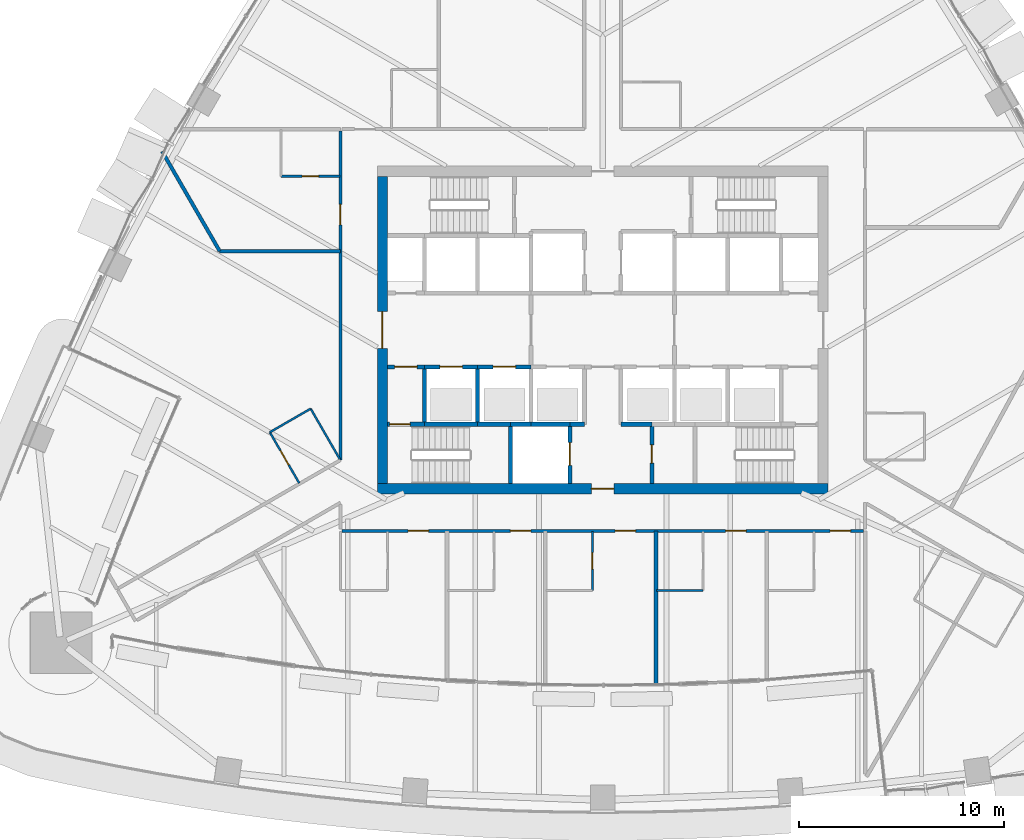
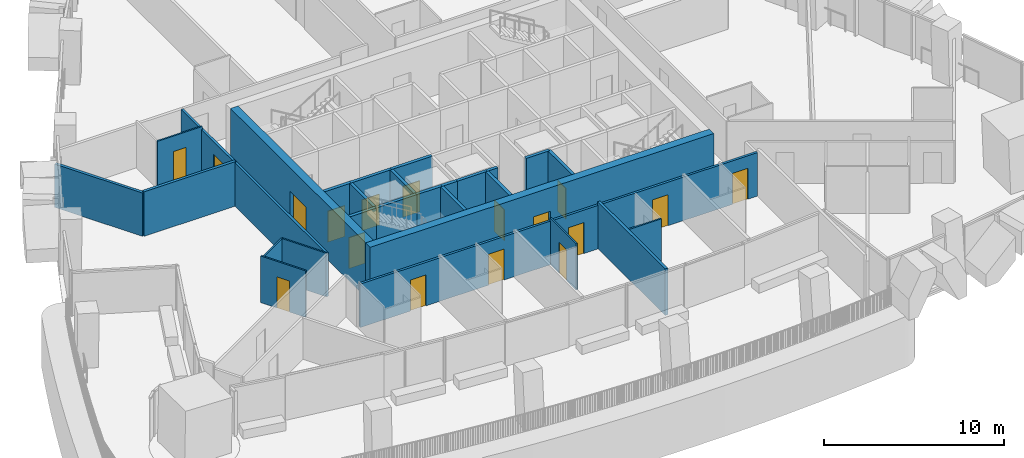
# One storey, part 12 of 22: 28 walls, 17 doors, 17 openings.
"""IFC4 building model written with IfcOpenShell, lengths in metres."""

import ifcopenshell
import ifcopenshell.guid

model = None  # the IFC model being written
_history = None  # IfcOwnerHistory: only IFC2X3 demands one
_inside = {}  # id of a spatial element -> (the spatial element, [elements in it])
_under = {}  # id of a project, library or spatial element -> (it, [spatial elements below it])
_declared = {}  # id of a project -> (the project, [libraries it declares])
_typed = {}  # id of a type object -> (the type object, [elements of that type])
_made_of = {}  # id of a material, layer set ... -> (it, [elements and type objects made of it])


def new_model(schema):
    """Start an empty IFC model of exactly this schema.

    Asked for "IFC4X3", IfcOpenShell would pick the latest addendum, in which some entities
    have other attributes; the version numbers below select the first issue.
    IFC2X3 requires an IfcOwnerHistory on every rooted entity: one is made here for all.
    """
    global model, _history
    if schema == "IFC4X3":
        model = ifcopenshell.file(schema_version=(4, 3, 0, 0))
    else:
        model = ifcopenshell.file(schema=schema)
    _inside.clear()
    _under.clear()
    _declared.clear()
    _typed.clear()
    _made_of.clear()
    _history = None
    if model.schema == "IFC2X3":
        org = make("IfcOrganization", Name="unknown")
        user = make(
            "IfcPersonAndOrganization",
            ThePerson=make("IfcPerson", FamilyName="unknown"),
            TheOrganization=org,
        )
        app = make(
            "IfcApplication",
            ApplicationDeveloper=org,
            Version="unknown",
            ApplicationFullName="unknown",
            ApplicationIdentifier="unknown",
        )
        _history = make(
            "IfcOwnerHistory",
            OwningUser=user,
            OwningApplication=app,
            ChangeAction="ADDED",
            CreationDate=0,
        )
    return model


def make(cls, **values):
    """One entity of the class cls with the attributes given. An attribute that is None is left unset."""
    return model.create_entity(
        cls, **{name: value for name, value in values.items() if value is not None}
    )


def rooted(cls, **values):
    """An entity with a GlobalId (a new one), such as an element, a storey or a relation."""
    return make(cls, GlobalId=ifcopenshell.guid.new(), OwnerHistory=_history, **values)


def si_unit(unit_type, name, prefix=None):
    """IfcSIUnit, for example si_unit("LENGTHUNIT", "METRE", prefix="MILLI")."""
    return make("IfcSIUnit", UnitType=unit_type, Prefix=prefix, Name=name)


def assignment(units):
    """IfcUnitAssignment: the units of a project."""
    return None if units is None else make("IfcUnitAssignment", Units=units)


def point(xyz):
    """IfcCartesianPoint."""
    return None if xyz is None else make("IfcCartesianPoint", Coordinates=xyz)


def direction(xyz):
    """IfcDirection."""
    return None if xyz is None else make("IfcDirection", DirectionRatios=xyz)


def frame(location, z_axis=None, x_axis=None):
    """IfcAxis2Placement3D, a coordinate frame: its origin and axes. An axis left out is left unset."""
    return make(
        "IfcAxis2Placement3D",
        Location=point(location),
        Axis=direction(z_axis),
        RefDirection=direction(x_axis),
    )


def frame_2d(location, x_axis=None):
    """IfcAxis2Placement2D, a coordinate frame in the plane: its origin and x axis."""
    return make(
        "IfcAxis2Placement2D", Location=point(location), RefDirection=direction(x_axis)
    )


def origin():
    """The frame at (0, 0, 0) with its axes left unset."""
    return frame((0.0, 0.0, 0.0))


def place(relative_to, where):
    """IfcLocalPlacement: puts the frame where relative to a parent placement (None: the world)."""
    return make(
        "IfcLocalPlacement", PlacementRelTo=relative_to, RelativePlacement=where
    )


def context(
    kind, dimensions, precision=None, world=None, true_north=None, identifier=None
):
    """IfcGeometricRepresentationContext, for example the 3D "Model" context."""
    return make(
        "IfcGeometricRepresentationContext",
        ContextIdentifier=identifier,
        ContextType=kind,
        CoordinateSpaceDimension=dimensions,
        Precision=precision,
        WorldCoordinateSystem=world,
        TrueNorth=true_north,
    )


def subcontext(parent, identifier, kind, view, scale=None):
    """IfcGeometricRepresentationSubContext, for example "Body" below "Model"."""
    return make(
        "IfcGeometricRepresentationSubContext",
        ContextIdentifier=identifier,
        ContextType=kind,
        ParentContext=parent,
        TargetScale=scale,
        TargetView=view,
    )


def project(units=None, contexts=None):
    """IfcProject with its units and contexts."""
    return rooted(
        "IfcProject",
        Name="project",
        RepresentationContexts=contexts,
        UnitsInContext=assignment(units),
    )


def spatial(cls, under=None, at=None, **own):
    """A site, building, storey or space (cls), placed at a placement, below another one or the project."""
    s = rooted(cls, ObjectPlacement=at, **own)
    if under is not None:
        _under.setdefault(under.id(), (under, []))[1].append(s)
    return s


def profile(cls, at=None, kind="AREA", **sizes):
    """A parametric profile (cls). Its sizes go by their IFC names, for example OverallWidth=200.0."""
    return make(cls, ProfileType=kind, Position=at, **sizes)


def rectangle(**sizes):
    """IfcRectangleProfileDef."""
    return profile("IfcRectangleProfileDef", **sizes)


def extrude(swept, where, along, depth):
    """IfcExtrudedAreaSolid: the profile swept, set in the frame where, extruded along a direction by depth."""
    return make(
        "IfcExtrudedAreaSolid",
        SweptArea=swept,
        Position=where,
        ExtrudedDirection=direction(along),
        Depth=depth,
    )


def shape(context_of_items, identifier, shape_type, items):
    """IfcShapeRepresentation: the items that make up one representation, for example the "Body"."""
    return make(
        "IfcShapeRepresentation",
        ContextOfItems=context_of_items,
        RepresentationIdentifier=identifier,
        RepresentationType=shape_type,
        Items=items,
    )


def material(Name=None, Category=None):
    """IfcMaterial."""
    return make("IfcMaterial", Name=Name, Category=Category)


def layer(
    of_material, thickness, ventilated=None, Name=None, Category=None, Priority=None
):
    """IfcMaterialLayer: one layer of a wall or slab, of a material (None: an air gap)."""
    return make(
        "IfcMaterialLayer",
        Material=of_material,
        LayerThickness=thickness,
        IsVentilated=ventilated,
        Name=Name,
        Category=Category,
        Priority=Priority,
    )


def layer_set(layers, Name=None):
    """IfcMaterialLayerSet."""
    return make("IfcMaterialLayerSet", MaterialLayers=layers, LayerSetName=Name)


def made_of(thing, what):
    """Note that an element or type object is made of a material, layer set ...; save() writes the relation."""
    if what is not None:
        _made_of.setdefault(what.id(), (what, []))[1].append(thing)
    return thing


def type_object(cls, material=None, **own):
    """A type object (cls), such as IfcWallType, which elements share."""
    return made_of(rooted(cls, **own), material)


def element(
    cls,
    number,
    at=None,
    inside=None,
    cuts=None,
    type_object=None,
    material=None,
    context=None,
    identifier="Body",
    shape_type=None,
    held_by="IfcProductDefinitionShape",
    body=None,
    shapes=None,
    **own,
):
    """One element of the class cls, such as IfcWall. Its Tag is "e" and its number.

    at: its placement. inside: the storey or other place that contains it. cuts: it is an
    opening in that element (IfcRelVoidsElement). A single representation is given by context,
    identifier, shape_type and body (its items); several are given by shapes. held_by: the class
    of the entity that holds the representations. save() writes the other relations.
    """
    e = rooted(cls, Tag="e%d" % number, ObjectPlacement=at, **own)
    if body is not None:
        shapes = [shape(context, identifier, shape_type, body)]
    if shapes is not None:
        e.Representation = make(held_by, Representations=shapes)
    if inside is not None:
        _inside.setdefault(inside.id(), (inside, []))[1].append(e)
    if cuts is not None:
        rooted(
            "IfcRelVoidsElement", RelatingBuildingElement=cuts, RelatedOpeningElement=e
        )
    if type_object is not None:
        _typed.setdefault(type_object.id(), (type_object, []))[1].append(e)
    return made_of(e, material)


def fill(opening, filler):
    """IfcRelFillsElement: the door or window that sits in an opening."""
    return rooted(
        "IfcRelFillsElement",
        RelatingOpeningElement=opening,
        RelatedBuildingElement=filler,
    )


def aggregate(whole, parts):
    """IfcRelAggregates: a whole, such as a stair, and the parts it consists of."""
    return rooted("IfcRelAggregates", RelatingObject=whole, RelatedObjects=parts)


def save(model, path):
    """Write the relations noted so far, then the file.

    IfcRelAggregates (storeys below a building ...), IfcRelContainedInSpatialStructure (elements
    in a storey), IfcRelDefinesByType, IfcRelAssociatesMaterial and IfcRelDeclares: one each for
    every whole, place, type object, material and project.
    """
    for whole, parts in _under.values():
        aggregate(whole, parts)
    for where, things in _inside.values():
        rooted(
            "IfcRelContainedInSpatialStructure",
            RelatedElements=things,
            RelatingStructure=where,
        )
    for kind, things in _typed.values():
        rooted("IfcRelDefinesByType", RelatedObjects=things, RelatingType=kind)
    for what, things in _made_of.values():
        rooted("IfcRelAssociatesMaterial", RelatedObjects=things, RelatingMaterial=what)
    for by, libraries in _declared.values():
        rooted("IfcRelDeclares", RelatingContext=by, RelatedDefinitions=libraries)
    model.write(path)


model = new_model("IFC4")

# Units and contexts
model_context = context("Model", 3, precision=1e-05, world=origin(), true_north=direction((0.0, 1.0)))
body_context = subcontext(model_context, "Body", "Model", "MODEL_VIEW")
ifc_project = project(units=[si_unit("LENGTHUNIT", "METRE"), si_unit("AREAUNIT", "SQUARE_METRE"), si_unit("VOLUMEUNIT", "CUBIC_METRE"), si_unit("PLANEANGLEUNIT", "RADIAN"), si_unit("MASSUNIT", "GRAM", prefix="KILO")], contexts=[model_context])

# Site, building, storey
site_placement = place(None, origin())
site = spatial("IfcSite", under=ifc_project, at=site_placement, CompositionType="ELEMENT")
building_placement = place(site_placement, origin())
building = spatial("IfcBuilding", under=site, at=building_placement, Name="Sierra Prisma Convention Tower", CompositionType="ELEMENT")
storey_placement = place(building_placement, frame((0.0, 0.0, 73.89990234375)))
storey = spatial("IfcBuildingStorey", under=building, at=storey_placement, Name="L14", CompositionType="ELEMENT", Elevation=73.89990234375)

# Wall, opening, door
ifc_material_1 = material(Name="Gypsum board partition", Category="gypsum")
ifc_layer_1 = layer(ifc_material_1, 0.10009765625)
ifc_layer_set_1 = layer_set([ifc_layer_1], Name="Bathroom partition 100")
wall_type_1 = type_object("IfcWallType", Name="Bathroom partition 100", PredefinedType="PARTITIONING", material=ifc_layer_set_1)
wall_1_placement = place(storey_placement, frame((-12.830078125, 7.5, 0.0), z_axis=(0.0, 0.0, 1.0), x_axis=(-1.0, 0.0, 0.0)))
wall_1 = element("IfcWall", 1, at=wall_1_placement, inside=storey, type_object=wall_type_1, Name="Partition L14 bath 1", PredefinedType="PARTITIONING", context=body_context, shape_type="SweptSolid", body=[
    extrude(rectangle(XDim=2.869873046875, YDim=0.10009765625, at=frame_2d((1.43505859375, 0.0))), origin(), (0.0, 0.0, 1.0), 3.150146484375),
])
opening_1_placement = place(wall_1_placement, frame((1.034912109375, 0.0, 0.0)))
opening_1 = element("IfcOpeningElement", 2, at=opening_1_placement, cuts=wall_1, Name="Opening L14-D007", PredefinedType="OPENING", context=body_context, shape_type="SweptSolid", body=[
    extrude(rectangle(XDim=0.800048828125, YDim=2.10009765625, at=frame_2d((0.39990234375, 1.050048828125))), frame((0.0, 0.050048828125, 0.0), z_axis=(0.0, -1.0, 0.0), x_axis=(1.0, 0.0, 0.0)), (0.0, 0.0, 1.0), 0.10009765625),
])
ifc_material_2 = material(Name="Solid core timber door leaf", Category="wood")
door_type_1 = type_object("IfcDoorType", Name="Door 800x2100 plain", OperationType="SINGLE_SWING_LEFT", PredefinedType="DOOR", material=ifc_material_2)
door_1_placement = place(opening_1_placement, origin())
door_1 = element("IfcDoor", 3, at=door_1_placement, inside=storey, type_object=door_type_1, Name="Door L14 10", OperationType="SINGLE_SWING_RIGHT", OverallHeight=2.10009765625, OverallWidth=0.800048828125, PredefinedType="DOOR", context=body_context, shape_type="SweptSolid", body=[
    extrude(rectangle(XDim=0.800048828125, YDim=2.10009765625, at=frame_2d((0.39990234375, 1.050048828125))), frame((0.0, 0.02490234375, 0.0), z_axis=(0.0, -1.0, 0.0), x_axis=(1.0, 0.0, 0.0)), (0.0, 0.0, 1.0), 0.050048828125),
])
fill(opening_1, door_1)

wall_2_placement = place(storey_placement, frame((-14.806884765625, -7.474853515625, 0.0), z_axis=(0.0, 0.0, 1.0), x_axis=(-0.500036638401, 0.866004249561, 0.0)))
wall_2 = element("IfcWall", 4, at=wall_2_placement, inside=storey, type_object=wall_type_1, Name="Partition L14 bath 3", PredefinedType="PARTITIONING", context=body_context, shape_type="SweptSolid", body=[
    extrude(rectangle(XDim=2.869873046875, YDim=0.10009765625, at=frame_2d((1.43505859375, 0.0))), origin(), (0.0, 0.0, 1.0), 3.150146484375),
])
opening_2_placement = place(wall_2_placement, frame((1.034912109375, 0.0, 0.0)))
opening_2 = element("IfcOpeningElement", 5, at=opening_2_placement, cuts=wall_2, Name="Opening L14-D008", PredefinedType="OPENING", context=body_context, shape_type="SweptSolid", body=[
    extrude(rectangle(XDim=0.800048828125, YDim=2.10009765625, at=frame_2d((0.39990234375, 1.050048828125))), frame((0.0, 0.050048828125, 0.0), z_axis=(0.0, -1.0, 0.0), x_axis=(1.0, 0.0, 0.0)), (0.0, 0.0, 1.0), 0.10009765625),
])
door_2_placement = place(opening_2_placement, origin())
door_2 = element("IfcDoor", 6, at=door_2_placement, inside=storey, type_object=door_type_1, Name="Door L14 12", OperationType="SINGLE_SWING_RIGHT", OverallHeight=2.10009765625, OverallWidth=0.800048828125, PredefinedType="DOOR", context=body_context, shape_type="SweptSolid", body=[
    extrude(rectangle(XDim=0.800048828125, YDim=2.10009765625, at=frame_2d((0.39990234375, 1.050048828125))), frame((0.0, 0.02490234375, 0.0), z_axis=(0.0, -1.0, 0.0), x_axis=(1.0, 0.0, 0.0)), (0.0, 0.0, 1.0), 0.050048828125),
])
fill(opening_2, door_2)

# Walls
wall_3_placement = place(storey_placement, frame((-16.241943359375, -4.989501953125, 0.0), z_axis=(0.0, 0.0, 1.0), x_axis=(0.866007057882, 0.500031774688, 0.0)))
element("IfcWall", 7, at=wall_3_placement, inside=storey, type_object=wall_type_1, Name="Partition L14 bath 4", PredefinedType="PARTITIONING", context=body_context, shape_type="SweptSolid", body=[
    extrude(rectangle(XDim=2.300048828125, YDim=0.10009765625, at=frame_2d((1.14990234375, 0.0))), origin(), (0.0, 0.0, 1.0), 2.947021484375),
])
wall_4_placement = place(storey_placement, frame((-14.25, -3.83935546875, 0.0), z_axis=(0.0, 0.0, 1.0), x_axis=(0.499985389037, -0.866033839264, 0.0)))
element("IfcWall", 8, at=wall_4_placement, inside=storey, type_object=wall_type_1, Name="Partition L14 bath 5", PredefinedType="PARTITIONING", context=body_context, shape_type="SweptSolid", body=[
    extrude(rectangle(XDim=2.83984375, YDim=0.10009765625, at=frame_2d((1.419921875, 0.0))), origin(), (0.0, 0.0, 1.0), 2.947021484375),
])

# Wall, opening, door
wall_5_placement = place(storey_placement, frame((-0.5, -9.830078125, 0.0), z_axis=(0.0, 0.0, 1.0), x_axis=(0.0, -1.0, 0.0)))
wall_5 = element("IfcWall", 9, at=wall_5_placement, inside=storey, type_object=wall_type_1, Name="Partition L14 bath 13", PredefinedType="PARTITIONING", context=body_context, shape_type="SweptSolid", body=[
    extrude(rectangle(XDim=2.869873046875, YDim=0.10009765625, at=frame_2d((1.43505859375, 0.0))), origin(), (0.0, 0.0, 1.0), 3.150146484375),
])
opening_3_placement = place(wall_5_placement, frame((1.034912109375, 0.0, 0.0)))
opening_3 = element("IfcOpeningElement", 10, at=opening_3_placement, cuts=wall_5, Name="Opening L14-D011", PredefinedType="OPENING", context=body_context, shape_type="SweptSolid", body=[
    extrude(rectangle(XDim=0.800048828125, YDim=2.10009765625, at=frame_2d((0.39990234375, 1.050048828125))), frame((0.0, 0.050048828125, 0.0), z_axis=(0.0, -1.0, 0.0), x_axis=(1.0, 0.0, 0.0)), (0.0, 0.0, 1.0), 0.10009765625),
])
door_3_placement = place(opening_3_placement, origin())
door_3 = element("IfcDoor", 11, at=door_3_placement, inside=storey, type_object=door_type_1, Name="Door L14 19", OperationType="SINGLE_SWING_LEFT", OverallHeight=2.10009765625, OverallWidth=0.800048828125, PredefinedType="DOOR", context=body_context, shape_type="SweptSolid", body=[
    extrude(rectangle(XDim=0.800048828125, YDim=2.10009765625, at=frame_2d((0.39990234375, 1.050048828125))), frame((0.0, 0.02490234375, 0.0), z_axis=(0.0, -1.0, 0.0), x_axis=(1.0, 0.0, 0.0)), (0.0, 0.0, 1.0), 0.050048828125),
])
fill(opening_3, door_3)

# Wall
wall_6_placement = place(storey_placement, frame((4.89990234375, -12.699951171875, 0.0), z_axis=(0.0, 0.0, 1.0), x_axis=(-1.0, 0.0, 0.0)))
element("IfcWall", 12, at=wall_6_placement, inside=storey, type_object=wall_type_1, Name="Partition L14 bath 21", PredefinedType="PARTITIONING", context=body_context, shape_type="SweptSolid", body=[
    extrude(rectangle(XDim=2.27001953125, YDim=0.10009765625, at=frame_2d((1.135009765625, 0.0))), origin(), (0.0, 0.0, 1.0), 2.947021484375),
])

# Wall, opening, door
ifc_material_3 = material(Name="Concrete C30/37", Category="concrete")
ifc_layer_2 = layer(ifc_material_3, 0.199951171875)
ifc_layer_set_2 = layer_set([ifc_layer_2], Name="Core wall RC 200 C30/37")
wall_type_2 = type_object("IfcWallType", Name="Core wall RC 200 C30/37", PredefinedType="SOLIDWALL", material=ifc_layer_set_2)
wall_7_placement = place(storey_placement, frame((-10.5, -4.60009765625, 0.0), z_axis=(0.0, 0.0, 1.0), x_axis=(1.0, 0.0, 0.0)))
wall_7 = element("IfcWall", 13, at=wall_7_placement, inside=storey, type_object=wall_type_2, Name="Core wall L14 1", PredefinedType="SOLIDWALL", context=body_context, shape_type="SweptSolid", body=[
    extrude(rectangle(XDim=1.800048828125, YDim=0.199951171875, at=frame_2d((0.89990234375, 0.0))), origin(), (0.0, 0.0, 1.0), 3.550048828125),
])
opening_4_placement = place(wall_7_placement, frame((0.10009765625, 0.0, 0.0)))
opening_4 = element("IfcOpeningElement", 14, at=opening_4_placement, cuts=wall_7, Name="Opening L14-D035", PredefinedType="OPENING", context=body_context, shape_type="SweptSolid", body=[
    extrude(rectangle(XDim=1.0, YDim=2.10009765625, at=frame_2d((0.5, 1.050048828125))), frame((0.0, 0.10009765625, 0.0), z_axis=(0.0, -1.0, 0.0), x_axis=(1.0, 0.0, 0.0)), (0.0, 0.0, 1.0), 0.199951171875),
])
ifc_material_4 = material(Name="Steel fire door leaf", Category="steel")
door_type_2 = type_object("IfcDoorType", Name="Door 1000x2100 FD90S", OperationType="SINGLE_SWING_LEFT", PredefinedType="DOOR", material=ifc_material_4)
door_4_placement = place(opening_4_placement, origin())
door_4 = element("IfcDoor", 15, at=door_4_placement, inside=storey, type_object=door_type_2, Name="Door L14 49", OperationType="SINGLE_SWING_LEFT", OverallHeight=2.10009765625, OverallWidth=1.0, PredefinedType="DOOR", context=body_context, shape_type="SweptSolid", body=[
    extrude(rectangle(XDim=1.0, YDim=2.10009765625, at=frame_2d((0.5, 1.050048828125))), frame((0.0, 0.02490234375, 0.0), z_axis=(0.0, -1.0, 0.0), x_axis=(1.0, 0.0, 0.0)), (0.0, 0.0, 1.0), 0.050048828125),
])
fill(opening_4, door_4)

wall_8_placement = place(storey_placement, frame((-10.5, -1.800048828125, 0.0), z_axis=(0.0, 0.0, 1.0), x_axis=(1.0, 0.0, 0.0)))
wall_8 = element("IfcWall", 16, at=wall_8_placement, inside=storey, type_object=wall_type_2, Name="Core wall L14 2", PredefinedType="SOLIDWALL", context=body_context, shape_type="SweptSolid", body=[
    extrude(rectangle(XDim=1.800048828125, YDim=0.199951171875, at=frame_2d((0.89990234375, 0.0))), origin(), (0.0, 0.0, 1.0), 3.550048828125),
])
opening_5_placement = place(wall_8_placement, frame((0.35009765625, 0.0, 0.0)))
opening_5 = element("IfcOpeningElement", 17, at=opening_5_placement, cuts=wall_8, Name="Opening L14-D029", PredefinedType="OPENING", context=body_context, shape_type="SweptSolid", body=[
    extrude(rectangle(XDim=1.10009765625, YDim=2.10009765625, at=frame_2d((0.550048828125, 1.050048828125))), frame((0.0, 0.10009765625, 0.0), z_axis=(0.0, -1.0, 0.0), x_axis=(1.0, 0.0, 0.0)), (0.0, 0.0, 1.0), 0.199951171875),
])
ifc_material_5 = material(Name="Steel fire door leaf", Category="steel")
door_type_3 = type_object("IfcDoorType", Name="Door 1100x2100 FD90S", OperationType="SINGLE_SWING_LEFT", PredefinedType="DOOR", material=ifc_material_5)
door_5_placement = place(opening_5_placement, origin())
door_5 = element("IfcDoor", 18, at=door_5_placement, inside=storey, type_object=door_type_3, Name="Door L14 43", OperationType="SINGLE_SWING_LEFT", OverallHeight=2.10009765625, OverallWidth=1.10009765625, PredefinedType="DOOR", context=body_context, shape_type="SweptSolid", body=[
    extrude(rectangle(XDim=1.10009765625, YDim=2.10009765625, at=frame_2d((0.550048828125, 1.050048828125))), frame((0.0, 0.02490234375, 0.0), z_axis=(0.0, -1.0, 0.0), x_axis=(1.0, 0.0, 0.0)), (0.0, 0.0, 1.0), 0.050048828125),
])
fill(opening_5, door_5)

# Walls
wall_9_placement = place(storey_placement, frame((-8.699951171875, -4.60009765625, 0.0), z_axis=(0.0, 0.0, 1.0), x_axis=(1.0, 0.0, 0.0)))
element("IfcWall", 19, at=wall_9_placement, inside=storey, type_object=wall_type_2, Name="Core wall L14 5", PredefinedType="SOLIDWALL", context=body_context, shape_type="SweptSolid", body=[
    extrude(rectangle(XDim=2.599853515625, YDim=0.199951171875, at=frame_2d((1.2998046875, 0.0))), origin(), (0.0, 0.0, 1.0), 3.550048828125),
])
wall_10_placement = place(storey_placement, frame((-8.699951171875, -4.60009765625, 0.0), z_axis=(0.0, 0.0, 1.0), x_axis=(0.0, 1.0, 0.0)))
element("IfcWall", 20, at=wall_10_placement, inside=storey, type_object=wall_type_2, Name="Core wall L14 6", PredefinedType="SOLIDWALL", context=body_context, shape_type="SweptSolid", body=[
    extrude(rectangle(XDim=2.800048828125, YDim=0.199951171875, at=frame_2d((1.39990234375, 0.0))), origin(), (0.0, 0.0, 1.0), 3.550048828125),
])

# Wall, opening, door
wall_11_placement = place(storey_placement, frame((-8.699951171875, -1.800048828125, 0.0), z_axis=(0.0, 0.0, 1.0), x_axis=(1.0, 0.0, 0.0)))
wall_11 = element("IfcWall", 21, at=wall_11_placement, inside=storey, type_object=wall_type_2, Name="Core wall L14 7", PredefinedType="SOLIDWALL", context=body_context, shape_type="SweptSolid", body=[
    extrude(rectangle(XDim=2.599853515625, YDim=0.199951171875, at=frame_2d((1.2998046875, 0.0))), origin(), (0.0, 0.0, 1.0), 3.550048828125),
])
opening_6_placement = place(wall_11_placement, frame((0.75, 0.0, 0.0)))
opening_6 = element("IfcOpeningElement", 22, at=opening_6_placement, cuts=wall_11, Name="Opening L14-D018", PredefinedType="OPENING", context=body_context, shape_type="SweptSolid", body=[
    extrude(rectangle(XDim=1.10009765625, YDim=2.10009765625, at=frame_2d((0.550048828125, 1.050048828125))), frame((0.0, 0.10009765625, 0.0), z_axis=(0.0, -1.0, 0.0), x_axis=(1.0, 0.0, 0.0)), (0.0, 0.0, 1.0), 0.199951171875),
])
ifc_material_6 = material(Name="Steel fire door leaf", Category="steel")
door_type_4 = type_object("IfcDoorType", Name="Door 1100x2100 EI 90 sliding lift landing", OperationType="SLIDING_TO_LEFT", PredefinedType="DOOR", material=ifc_material_6)
door_6_placement = place(opening_6_placement, origin())
door_6 = element("IfcDoor", 23, at=door_6_placement, inside=storey, type_object=door_type_4, Name="Door L14 32", OperationType="SLIDING_TO_LEFT", OverallHeight=2.10009765625, OverallWidth=1.10009765625, PredefinedType="DOOR", context=body_context, shape_type="SweptSolid", body=[
    extrude(rectangle(XDim=1.10009765625, YDim=2.10009765625, at=frame_2d((0.550048828125, 1.050048828125))), frame((0.0, 0.02490234375, 0.0), z_axis=(0.0, -1.0, 0.0), x_axis=(1.0, 0.0, 0.0)), (0.0, 0.0, 1.0), 0.050048828125),
])
fill(opening_6, door_6)

# Walls
wall_12_placement = place(storey_placement, frame((-6.10009765625, -4.60009765625, 0.0), z_axis=(0.0, 0.0, 1.0), x_axis=(1.0, 0.0, 0.0)))
element("IfcWall", 24, at=wall_12_placement, inside=storey, type_object=wall_type_2, Name="Core wall L14 11", PredefinedType="SOLIDWALL", context=body_context, shape_type="SweptSolid", body=[
    extrude(rectangle(XDim=1.60009765625, YDim=0.199951171875, at=frame_2d((0.800048828125, 0.0))), origin(), (0.0, 0.0, 1.0), 3.550048828125),
])
wall_13_placement = place(storey_placement, frame((-6.10009765625, -4.60009765625, 0.0), z_axis=(0.0, 0.0, 1.0), x_axis=(0.0, 1.0, 0.0)))
element("IfcWall", 25, at=wall_13_placement, inside=storey, type_object=wall_type_2, Name="Core wall L14 12", PredefinedType="SOLIDWALL", context=body_context, shape_type="SweptSolid", body=[
    extrude(rectangle(XDim=2.800048828125, YDim=0.199951171875, at=frame_2d((1.39990234375, 0.0))), origin(), (0.0, 0.0, 1.0), 3.550048828125),
])

# Wall, opening, door
wall_14_placement = place(storey_placement, frame((-6.10009765625, -1.800048828125, 0.0), z_axis=(0.0, 0.0, 1.0), x_axis=(1.0, 0.0, 0.0)))
wall_14 = element("IfcWall", 26, at=wall_14_placement, inside=storey, type_object=wall_type_2, Name="Core wall L14 13", PredefinedType="SOLIDWALL", context=body_context, shape_type="SweptSolid", body=[
    extrude(rectangle(XDim=2.60009765625, YDim=0.199951171875, at=frame_2d((1.300048828125, 0.0))), origin(), (0.0, 0.0, 1.0), 3.550048828125),
])
opening_7_placement = place(wall_14_placement, frame((0.75, 0.0, 0.0)))
opening_7 = element("IfcOpeningElement", 27, at=opening_7_placement, cuts=wall_14, Name="Opening L14-D019", PredefinedType="OPENING", context=body_context, shape_type="SweptSolid", body=[
    extrude(rectangle(XDim=1.10009765625, YDim=2.10009765625, at=frame_2d((0.550048828125, 1.050048828125))), frame((0.0, 0.10009765625, 0.0), z_axis=(0.0, -1.0, 0.0), x_axis=(1.0, 0.0, 0.0)), (0.0, 0.0, 1.0), 0.199951171875),
])
door_7_placement = place(opening_7_placement, origin())
door_7 = element("IfcDoor", 28, at=door_7_placement, inside=storey, type_object=door_type_4, Name="Door L14 33", OperationType="SLIDING_TO_LEFT", OverallHeight=2.10009765625, OverallWidth=1.10009765625, PredefinedType="DOOR", context=body_context, shape_type="SweptSolid", body=[
    extrude(rectangle(XDim=1.10009765625, YDim=2.10009765625, at=frame_2d((0.550048828125, 1.050048828125))), frame((0.0, 0.02490234375, 0.0), z_axis=(0.0, -1.0, 0.0), x_axis=(1.0, 0.0, 0.0)), (0.0, 0.0, 1.0), 0.050048828125),
])
fill(opening_7, door_7)

# Walls
wall_15_placement = place(storey_placement, frame((-4.5, -4.60009765625, 0.0), z_axis=(0.0, 0.0, 1.0), x_axis=(0.0, -1.0, 0.0)))
element("IfcWall", 29, at=wall_15_placement, inside=storey, type_object=wall_type_2, Name="Core wall L14 17", PredefinedType="SOLIDWALL", context=body_context, shape_type="SweptSolid", body=[
    extrude(rectangle(XDim=2.89990234375, YDim=0.199951171875, at=frame_2d((1.449951171875, 0.0))), origin(), (0.0, 0.0, 1.0), 3.550048828125),
])
wall_16_placement = place(storey_placement, frame((-4.5, -4.60009765625, 0.0), z_axis=(0.0, 0.0, 1.0), x_axis=(1.0, 0.0, 0.0)))
element("IfcWall", 30, at=wall_16_placement, inside=storey, type_object=wall_type_2, Name="Core wall L14 18", PredefinedType="SOLIDWALL", context=body_context, shape_type="SweptSolid", body=[
    extrude(rectangle(XDim=1.0, YDim=0.199951171875, at=frame_2d((0.5, 0.0))), origin(), (0.0, 0.0, 1.0), 3.550048828125),
])
wall_17_placement = place(storey_placement, frame((-3.5, -4.60009765625, 0.0), z_axis=(0.0, 0.0, 1.0), x_axis=(1.0, 0.0, 0.0)))
element("IfcWall", 31, at=wall_17_placement, inside=storey, type_object=wall_type_2, Name="Core wall L14 21", PredefinedType="SOLIDWALL", context=body_context, shape_type="SweptSolid", body=[
    extrude(rectangle(XDim=1.89990234375, YDim=0.199951171875, at=frame_2d((0.949951171875, 0.0))), origin(), (0.0, 0.0, 1.0), 3.550048828125),
])

# Wall, opening, door
wall_18_placement = place(storey_placement, frame((-1.60009765625, -7.5, 0.0), z_axis=(0.0, 0.0, 1.0), x_axis=(0.0, 1.0, 0.0)))
wall_18 = element("IfcWall", 32, at=wall_18_placement, inside=storey, type_object=wall_type_2, Name="Core wall L14 30", PredefinedType="SOLIDWALL", context=body_context, shape_type="SweptSolid", body=[
    extrude(rectangle(XDim=2.89990234375, YDim=0.199951171875, at=frame_2d((1.449951171875, 0.0))), origin(), (0.0, 0.0, 1.0), 3.550048828125),
])
opening_8_placement = place(wall_18_placement, frame((0.89990234375, 0.0, 0.0)))
opening_8 = element("IfcOpeningElement", 33, at=opening_8_placement, cuts=wall_18, Name="Opening L14-D026", PredefinedType="OPENING", context=body_context, shape_type="SweptSolid", body=[
    extrude(rectangle(XDim=1.10009765625, YDim=2.10009765625, at=frame_2d((0.550048828125, 1.050048828125))), frame((0.0, 0.10009765625, 0.0), z_axis=(0.0, -1.0, 0.0), x_axis=(1.0, 0.0, 0.0)), (0.0, 0.0, 1.0), 0.199951171875),
])
door_8_placement = place(opening_8_placement, origin())
door_8 = element("IfcDoor", 34, at=door_8_placement, inside=storey, type_object=door_type_4, Name="Door L14 40", OperationType="SLIDING_TO_LEFT", OverallHeight=2.10009765625, OverallWidth=1.10009765625, PredefinedType="DOOR", context=body_context, shape_type="SweptSolid", body=[
    extrude(rectangle(XDim=1.10009765625, YDim=2.10009765625, at=frame_2d((0.550048828125, 1.050048828125))), frame((0.0, 0.02490234375, 0.0), z_axis=(0.0, -1.0, 0.0), x_axis=(1.0, 0.0, 0.0)), (0.0, 0.0, 1.0), 0.050048828125),
])
fill(opening_8, door_8)

# Walls
wall_19_placement = place(storey_placement, frame((-1.60009765625, -4.60009765625, 0.0), z_axis=(0.0, 0.0, 1.0), x_axis=(1.0, 0.0, 0.0)))
element("IfcWall", 35, at=wall_19_placement, inside=storey, type_object=wall_type_2, Name="Core wall L14 31", PredefinedType="SOLIDWALL", context=body_context, shape_type="SweptSolid", body=[
    extrude(rectangle(XDim=0.7001953125, YDim=0.199951171875, at=frame_2d((0.35009765625, 0.0))), origin(), (0.0, 0.0, 1.0), 3.550048828125),
])
wall_20_placement = place(storey_placement, frame((0.89990234375, -4.60009765625, 0.0), z_axis=(0.0, 0.0, 1.0), x_axis=(1.0, 0.0, 0.0)))
element("IfcWall", 36, at=wall_20_placement, inside=storey, type_object=wall_type_2, Name="Core wall L14 37", PredefinedType="SOLIDWALL", context=body_context, shape_type="SweptSolid", body=[
    extrude(rectangle(XDim=1.5, YDim=0.199951171875, at=frame_2d((0.75, 0.0))), origin(), (0.0, 0.0, 1.0), 3.550048828125),
])

# Wall, opening, door
wall_21_placement = place(storey_placement, frame((2.39990234375, -4.60009765625, 0.0), z_axis=(0.0, 0.0, 1.0), x_axis=(0.0, -1.0, 0.0)))
wall_21 = element("IfcWall", 37, at=wall_21_placement, inside=storey, type_object=wall_type_2, Name="Core wall L14 42", PredefinedType="SOLIDWALL", context=body_context, shape_type="SweptSolid", body=[
    extrude(rectangle(XDim=2.89990234375, YDim=0.199951171875, at=frame_2d((1.449951171875, 0.0))), origin(), (0.0, 0.0, 1.0), 3.550048828125),
])
opening_9_placement = place(wall_21_placement, frame((1.0, 0.0, 0.0)))
opening_9 = element("IfcOpeningElement", 38, at=opening_9_placement, cuts=wall_21, Name="Opening L14-D039", PredefinedType="OPENING", context=body_context, shape_type="SweptSolid", body=[
    extrude(rectangle(XDim=0.89990234375, YDim=2.10009765625, at=frame_2d((0.449951171875, 1.050048828125))), frame((0.0, 0.10009765625, 0.0), z_axis=(0.0, -1.0, 0.0), x_axis=(1.0, 0.0, 0.0)), (0.0, 0.0, 1.0), 0.199951171875),
])
ifc_material_7 = material(Name="Steel fire door leaf", Category="steel")
door_type_5 = type_object("IfcDoorType", Name="Door 900x2100 FD30S", OperationType="SINGLE_SWING_LEFT", PredefinedType="DOOR", material=ifc_material_7)
door_9_placement = place(opening_9_placement, origin())
door_9 = element("IfcDoor", 39, at=door_9_placement, inside=storey, type_object=door_type_5, Name="Door L14 53", OperationType="SINGLE_SWING_LEFT", OverallHeight=2.10009765625, OverallWidth=0.89990234375, PredefinedType="DOOR", context=body_context, shape_type="SweptSolid", body=[
    extrude(rectangle(XDim=0.89990234375, YDim=2.10009765625, at=frame_2d((0.449951171875, 1.050048828125))), frame((0.0, 0.02490234375, 0.0), z_axis=(0.0, -1.0, 0.0), x_axis=(1.0, 0.0, 0.0)), (0.0, 0.0, 1.0), 0.050048828125),
])
fill(opening_9, door_9)

ifc_material_8 = material(Name="Concrete C60/75", Category="concrete")
ifc_layer_3 = layer(ifc_material_8, 0.5)
ifc_layer_set_3 = layer_set([ifc_layer_3], Name="Core wall RC 500 C60/75")
wall_type_3 = type_object("IfcWallType", Name="Core wall RC 500 C60/75", PredefinedType="SHEAR", material=ifc_layer_set_3)
wall_22_placement = place(storey_placement, frame((-11.0, -7.75, 0.0), z_axis=(0.0, 0.0, 1.0), x_axis=(1.0, 0.0, 0.0)))
wall_22 = element("IfcWall", 40, at=wall_22_placement, inside=storey, type_object=wall_type_3, Name="Core wall S L14", PredefinedType="SHEAR", context=body_context, shape_type="SweptSolid", body=[
    extrude(rectangle(XDim=22.0, YDim=0.5, at=frame_2d((11.0, 0.0))), origin(), (0.0, 0.0, 1.0), 3.7001953125),
])
opening_10_placement = place(wall_22_placement, frame((10.449951171875, 0.0, 0.0)))
opening_10 = element("IfcOpeningElement", 41, at=opening_10_placement, cuts=wall_22, Name="Opening L14-D059", PredefinedType="OPENING", context=body_context, shape_type="SweptSolid", body=[
    extrude(rectangle(XDim=1.10009765625, YDim=2.10009765625, at=frame_2d((0.550048828125, 1.050048828125))), frame((0.0, 0.25, 0.0), z_axis=(0.0, -1.0, 0.0), x_axis=(1.0, 0.0, 0.0)), (0.0, 0.0, 1.0), 0.5),
])
ifc_material_9 = material(Name="Steel fire door leaf", Category="steel")
door_type_6 = type_object("IfcDoorType", Name="Door 1100x2100 FD30S", OperationType="SINGLE_SWING_LEFT", PredefinedType="DOOR", material=ifc_material_9)
door_10_placement = place(opening_10_placement, origin())
door_10 = element("IfcDoor", 42, at=door_10_placement, inside=storey, type_object=door_type_6, Name="Door L14 57", OperationType="SINGLE_SWING_RIGHT", OverallHeight=2.10009765625, OverallWidth=1.10009765625, PredefinedType="DOOR", context=body_context, shape_type="SweptSolid", body=[
    extrude(rectangle(XDim=1.10009765625, YDim=2.10009765625, at=frame_2d((0.550048828125, 1.050048828125))), frame((0.0, 0.02490234375, 0.0), z_axis=(0.0, -1.0, 0.0), x_axis=(1.0, 0.0, 0.0)), (0.0, 0.0, 1.0), 0.050048828125),
])
fill(opening_10, door_10)

wall_23_placement = place(storey_placement, frame((-10.75, -7.5, 0.0), z_axis=(0.0, 0.0, 1.0), x_axis=(0.0, 1.0, 0.0)))
wall_23 = element("IfcWall", 43, at=wall_23_placement, inside=storey, type_object=wall_type_3, Name="Core wall W L14", PredefinedType="SHEAR", context=body_context, shape_type="SweptSolid", body=[
    extrude(rectangle(XDim=15.0, YDim=0.5, at=frame_2d((7.5, 0.0))), origin(), (0.0, 0.0, 1.0), 3.7001953125),
])
opening_11_placement = place(wall_23_placement, frame((6.60009765625, 0.0, 0.0)))
opening_11 = element("IfcOpeningElement", 44, at=opening_11_placement, cuts=wall_23, Name="Opening L14-D060", PredefinedType="OPENING", context=body_context, shape_type="SweptSolid", body=[
    extrude(rectangle(XDim=1.800048828125, YDim=2.10009765625, at=frame_2d((0.89990234375, 1.050048828125))), frame((0.0, 0.25, 0.0), z_axis=(0.0, -1.0, 0.0), x_axis=(1.0, 0.0, 0.0)), (0.0, 0.0, 1.0), 0.5),
])
ifc_material_10 = material(Name="Steel fire door leaf", Category="steel")
door_type_7 = type_object("IfcDoorType", Name="Door 1800x2100 FD60S", OperationType="DOUBLE_DOOR_SINGLE_SWING", PredefinedType="DOOR", material=ifc_material_10)
door_11_placement = place(opening_11_placement, origin())
door_11 = element("IfcDoor", 45, at=door_11_placement, inside=storey, type_object=door_type_7, Name="Door L14 54", OperationType="DOUBLE_DOOR_SINGLE_SWING", OverallHeight=2.10009765625, OverallWidth=1.800048828125, PredefinedType="DOOR", context=body_context, shape_type="SweptSolid", body=[
    extrude(rectangle(XDim=1.800048828125, YDim=2.10009765625, at=frame_2d((0.89990234375, 1.050048828125))), frame((0.0, 0.02490234375, 0.0), z_axis=(0.0, -1.0, 0.0), x_axis=(1.0, 0.0, 0.0)), (0.0, 0.0, 1.0), 0.050048828125),
])
fill(opening_11, door_11)

ifc_material_11 = material(Name="Gypsum board partition", Category="gypsum")
ifc_layer_4 = layer(ifc_material_11, 0.14990234375)
ifc_layer_set_4 = layer_set([ifc_layer_4], Name="Corridor wall 150 gypsum EI 60")
wall_type_4 = type_object("IfcWallType", Name="Corridor wall 150 gypsum EI 60", PredefinedType="PARTITIONING", material=ifc_layer_set_4)
wall_24_placement = place(storey_placement, frame((-12.800048828125, 9.719970703125, 0.0), z_axis=(0.0, 0.0, 1.0), x_axis=(0.0, -1.0, 0.0)))
wall_24 = element("IfcWall", 46, at=wall_24_placement, inside=storey, type_object=wall_type_4, Name="Partition L14 corr 5", PredefinedType="PARTITIONING", context=body_context, shape_type="SweptSolid", body=[
    extrude(rectangle(XDim=16.07080078125, YDim=0.14990234375, at=frame_2d((8.035400390625, 0.0))), origin(), (0.0, 0.0, 1.0), 2.947021484375),
])
opening_12_placement = place(wall_24_placement, frame((3.595458984375, 0.0, 0.0)))
opening_12 = element("IfcOpeningElement", 47, at=opening_12_placement, cuts=wall_24, Name="Opening L14-D045", PredefinedType="OPENING", context=body_context, shape_type="SweptSolid", body=[
    extrude(rectangle(XDim=1.0, YDim=2.10009765625, at=frame_2d((0.5, 1.050048828125))), frame((0.0, 0.074951171875, 0.0), z_axis=(0.0, -1.0, 0.0), x_axis=(1.0, 0.0, 0.0)), (0.0, 0.0, 1.0), 0.14990234375),
])
ifc_material_12 = material(Name="Steel fire door leaf", Category="steel")
door_type_8 = type_object("IfcDoorType", Name="Door 1000x2100 FD30S", OperationType="SINGLE_SWING_LEFT", PredefinedType="DOOR", material=ifc_material_12)
door_12_placement = place(opening_12_placement, origin())
door_12 = element("IfcDoor", 48, at=door_12_placement, inside=storey, type_object=door_type_8, Name="Door L14 9", OperationType="SINGLE_SWING_LEFT", OverallHeight=2.10009765625, OverallWidth=1.0, PredefinedType="DOOR", context=body_context, shape_type="SweptSolid", body=[
    extrude(rectangle(XDim=1.0, YDim=2.10009765625, at=frame_2d((0.5, 1.050048828125))), frame((0.0, 0.02490234375, 0.0), z_axis=(0.0, -1.0, 0.0), x_axis=(1.0, 0.0, 0.0)), (0.0, 0.0, 1.0), 0.050048828125),
])
fill(opening_12, door_12)

# Wall, openings, doors
wall_25_placement = place(storey_placement, frame((-12.719970703125, -9.800048828125, 0.0), z_axis=(0.0, 0.0, 1.0), x_axis=(1.0, 0.0, 0.0)))
wall_25 = element("IfcWall", 49, at=wall_25_placement, inside=storey, type_object=wall_type_4, Name="Partition L14 corr 6", PredefinedType="PARTITIONING", context=body_context, shape_type="SweptSolid", body=[
    extrude(rectangle(XDim=25.43994140625, YDim=0.14990234375, at=frame_2d((12.719970703125, 0.0))), origin(), (0.0, 0.0, 1.0), 2.947021484375),
])
opening_13_placement = place(wall_25_placement, frame((3.219970703125, 0.0, 0.0)))
opening_13 = element("IfcOpeningElement", 50, at=opening_13_placement, cuts=wall_25, Name="Opening L14-D048", PredefinedType="OPENING", context=body_context, shape_type="SweptSolid", body=[
    extrude(rectangle(XDim=1.0, YDim=2.10009765625, at=frame_2d((0.5, 1.050048828125))), frame((0.0, 0.074951171875, 0.0), z_axis=(0.0, -1.0, 0.0), x_axis=(1.0, 0.0, 0.0)), (0.0, 0.0, 1.0), 0.14990234375),
])
opening_14_placement = place(wall_25_placement, frame((8.219970703125, 0.0, 0.0)))
opening_14 = element("IfcOpeningElement", 51, at=opening_14_placement, cuts=wall_25, Name="Opening L14-D049", PredefinedType="OPENING", context=body_context, shape_type="SweptSolid", body=[
    extrude(rectangle(XDim=1.0, YDim=2.10009765625, at=frame_2d((0.5, 1.050048828125))), frame((0.0, 0.074951171875, 0.0), z_axis=(0.0, -1.0, 0.0), x_axis=(1.0, 0.0, 0.0)), (0.0, 0.0, 1.0), 0.14990234375),
])
opening_15_placement = place(wall_25_placement, frame((13.320068359375, 0.0, 0.0)))
opening_15 = element("IfcOpeningElement", 52, at=opening_15_placement, cuts=wall_25, Name="Opening L14-D050", PredefinedType="OPENING", context=body_context, shape_type="SweptSolid", body=[
    extrude(rectangle(XDim=1.0, YDim=2.10009765625, at=frame_2d((0.5, 1.050048828125))), frame((0.0, 0.074951171875, 0.0), z_axis=(0.0, -1.0, 0.0), x_axis=(1.0, 0.0, 0.0)), (0.0, 0.0, 1.0), 0.14990234375),
])
opening_16_placement = place(wall_25_placement, frame((18.719970703125, 0.0, 0.0)))
opening_16 = element("IfcOpeningElement", 53, at=opening_16_placement, cuts=wall_25, Name="Opening L14-D051", PredefinedType="OPENING", context=body_context, shape_type="SweptSolid", body=[
    extrude(rectangle(XDim=1.0, YDim=2.10009765625, at=frame_2d((0.5, 1.050048828125))), frame((0.0, 0.074951171875, 0.0), z_axis=(0.0, -1.0, 0.0), x_axis=(1.0, 0.0, 0.0)), (0.0, 0.0, 1.0), 0.14990234375),
])
opening_17_placement = place(wall_25_placement, frame((23.820068359375, 0.0, 0.0)))
opening_17 = element("IfcOpeningElement", 54, at=opening_17_placement, cuts=wall_25, Name="Opening L14-D052", PredefinedType="OPENING", context=body_context, shape_type="SweptSolid", body=[
    extrude(rectangle(XDim=1.0, YDim=2.10009765625, at=frame_2d((0.5, 1.050048828125))), frame((0.0, 0.074951171875, 0.0), z_axis=(0.0, -1.0, 0.0), x_axis=(1.0, 0.0, 0.0)), (0.0, 0.0, 1.0), 0.14990234375),
])
door_13_placement = place(opening_13_placement, origin())
door_13 = element("IfcDoor", 55, at=door_13_placement, inside=storey, type_object=door_type_8, Name="Door L14 14", OperationType="SINGLE_SWING_LEFT", OverallHeight=2.10009765625, OverallWidth=1.0, PredefinedType="DOOR", context=body_context, shape_type="SweptSolid", body=[
    extrude(rectangle(XDim=1.0, YDim=2.10009765625, at=frame_2d((0.5, 1.050048828125))), frame((0.0, 0.02490234375, 0.0), z_axis=(0.0, -1.0, 0.0), x_axis=(1.0, 0.0, 0.0)), (0.0, 0.0, 1.0), 0.050048828125),
])
fill(opening_13, door_13)
door_14_placement = place(opening_14_placement, origin())
door_14 = element("IfcDoor", 56, at=door_14_placement, inside=storey, type_object=door_type_8, Name="Door L14 16", OperationType="SINGLE_SWING_LEFT", OverallHeight=2.10009765625, OverallWidth=1.0, PredefinedType="DOOR", context=body_context, shape_type="SweptSolid", body=[
    extrude(rectangle(XDim=1.0, YDim=2.10009765625, at=frame_2d((0.5, 1.050048828125))), frame((0.0, 0.02490234375, 0.0), z_axis=(0.0, -1.0, 0.0), x_axis=(1.0, 0.0, 0.0)), (0.0, 0.0, 1.0), 0.050048828125),
])
fill(opening_14, door_14)
door_15_placement = place(opening_15_placement, origin())
door_15 = element("IfcDoor", 57, at=door_15_placement, inside=storey, type_object=door_type_8, Name="Door L14 18", OperationType="SINGLE_SWING_LEFT", OverallHeight=2.10009765625, OverallWidth=1.0, PredefinedType="DOOR", context=body_context, shape_type="SweptSolid", body=[
    extrude(rectangle(XDim=1.0, YDim=2.10009765625, at=frame_2d((0.5, 1.050048828125))), frame((0.0, 0.02490234375, 0.0), z_axis=(0.0, -1.0, 0.0), x_axis=(1.0, 0.0, 0.0)), (0.0, 0.0, 1.0), 0.050048828125),
])
fill(opening_15, door_15)
door_16_placement = place(opening_16_placement, origin())
door_16 = element("IfcDoor", 58, at=door_16_placement, inside=storey, type_object=door_type_8, Name="Door L14 20", OperationType="SINGLE_SWING_LEFT", OverallHeight=2.10009765625, OverallWidth=1.0, PredefinedType="DOOR", context=body_context, shape_type="SweptSolid", body=[
    extrude(rectangle(XDim=1.0, YDim=2.10009765625, at=frame_2d((0.5, 1.050048828125))), frame((0.0, 0.02490234375, 0.0), z_axis=(0.0, -1.0, 0.0), x_axis=(1.0, 0.0, 0.0)), (0.0, 0.0, 1.0), 0.050048828125),
])
fill(opening_16, door_16)
door_17_placement = place(opening_17_placement, origin())
door_17 = element("IfcDoor", 59, at=door_17_placement, inside=storey, type_object=door_type_8, Name="Door L14 22", OperationType="SINGLE_SWING_LEFT", OverallHeight=2.10009765625, OverallWidth=1.0, PredefinedType="DOOR", context=body_context, shape_type="SweptSolid", body=[
    extrude(rectangle(XDim=1.0, YDim=2.10009765625, at=frame_2d((0.5, 1.050048828125))), frame((0.0, 0.02490234375, 0.0), z_axis=(0.0, -1.0, 0.0), x_axis=(1.0, 0.0, 0.0)), (0.0, 0.0, 1.0), 0.050048828125),
])
fill(opening_17, door_17)

# Walls
ifc_material_13 = material(Name="Acoustic gypsum board partition", Category="gypsum")
ifc_layer_5 = layer(ifc_material_13, 0.175048828125)
ifc_layer_set_5 = layer_set([ifc_layer_5], Name="Guest room party wall 175 acoustic EI 60")
wall_type_5 = type_object("IfcWallType", Name="Guest room party wall 175 acoustic EI 60", PredefinedType="PARTITIONING", material=ifc_layer_set_5)
wall_26_placement = place(storey_placement, frame((-12.800048828125, 3.84912109375, 0.0), z_axis=(0.0, 0.0, 1.0), x_axis=(-1.0, 0.0, 0.0)))
element("IfcWall", 60, at=wall_26_placement, inside=storey, type_object=wall_type_5, Name="Partition L14 hparty 2", PredefinedType="PARTITIONING", context=body_context, shape_type="SweptSolid", body=[
    extrude(rectangle(XDim=5.888916015625, YDim=0.175048828125, at=frame_2d((2.9443359375, 0.0))), origin(), (0.0, 0.0, 1.0), 3.01708984375),
])
wall_27_placement = place(storey_placement, frame((-18.68896484375, 3.84912109375, 0.0), z_axis=(0.0, 0.0, 1.0), x_axis=(-0.49999586752, 0.86602778966, 0.0)))
element("IfcWall", 61, at=wall_27_placement, inside=storey, type_object=wall_type_5, Name="Partition L14 hparty 3", PredefinedType="PARTITIONING", context=body_context, shape_type="SweptSolid", body=[
    extrude(rectangle(XDim=5.61669921875, YDim=0.175048828125, at=frame_2d((2.808349609375, 0.0))), origin(), (0.0, 0.0, 1.0), 2.93408203125),
])
wall_28_placement = place(storey_placement, frame((2.60009765625, -9.800048828125, 0.0), z_axis=(0.0, 0.0, 1.0), x_axis=(0.0, -1.0, 0.0)))
element("IfcWall", 62, at=wall_28_placement, inside=storey, type_object=wall_type_5, Name="Partition L14 hparty 12", PredefinedType="PARTITIONING", context=body_context, shape_type="SweptSolid", body=[
    extrude(rectangle(XDim=7.503173828125, YDim=0.175048828125, at=frame_2d((3.75146484375, 0.0))), origin(), (0.0, 0.0, 1.0), 3.150146484375),
])

save(model, "model.ifc")
